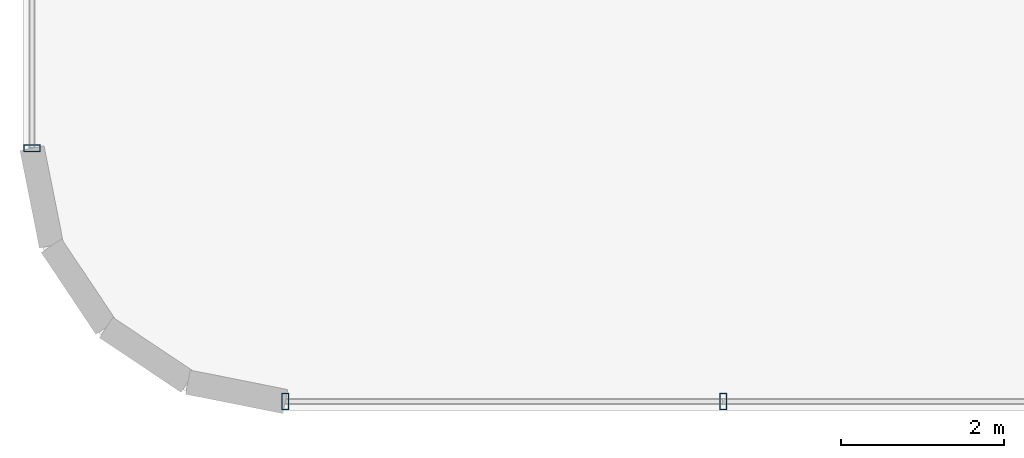
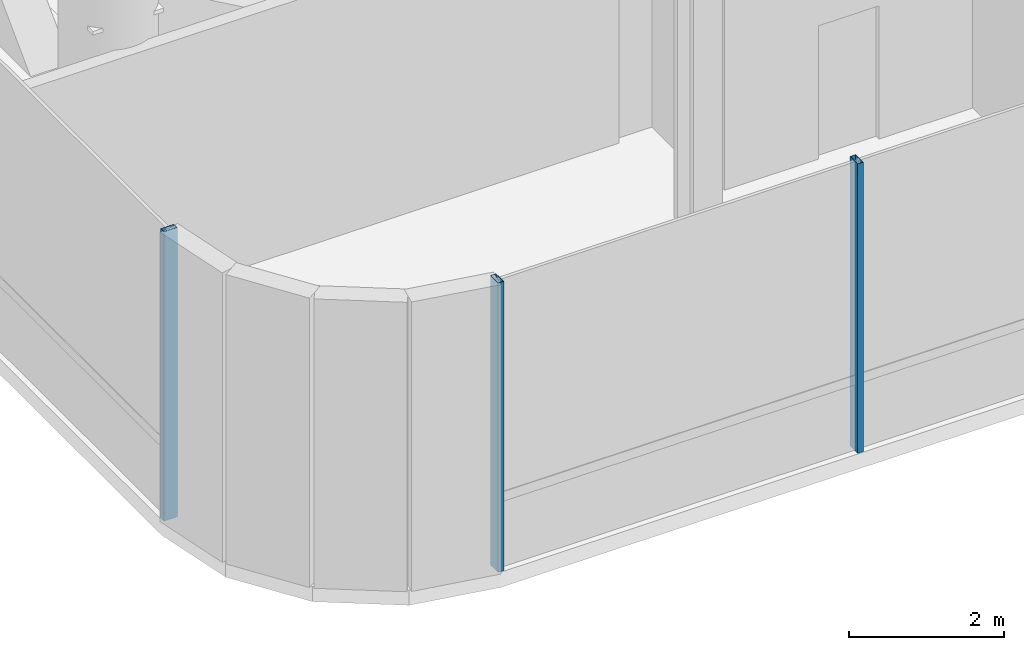
# One storey, part 2 of 39: 3 members, 2 elements without a shape of their own.
"""IFC4 building model written with IfcOpenShell, lengths in metres."""

from ifc_helpers import new_model, si_unit, direction, frame, origin, origin_2d, place, context, subcontext, project, spatial, hollow_rectangle, extrude, source, transform, mapped, material, material_profile, profile_set, type_object, element, aggregate, save


model = new_model("IFC4")

# Units and contexts
model_context = context("Model", 3, precision=1e-05, world=origin(), true_north=direction((0.0, 1.0)))
body_context = subcontext(model_context, "Body", "Model", "MODEL_VIEW")
ifc_project = project(units=[si_unit("LENGTHUNIT", "METRE"), si_unit("AREAUNIT", "SQUARE_METRE"), si_unit("VOLUMEUNIT", "CUBIC_METRE"), si_unit("PLANEANGLEUNIT", "RADIAN"), si_unit("MASSUNIT", "GRAM", prefix="KILO")], contexts=[model_context])

# Site, building, storey
site_placement = place(None, origin())
site = spatial("IfcSite", under=ifc_project, at=site_placement, CompositionType="ELEMENT")
building_placement = place(site_placement, origin())
building = spatial("IfcBuilding", under=site, at=building_placement, Name="Valdorenza Pilgrim Sanctuary Tower", CompositionType="ELEMENT")
storey_placement = place(building_placement, frame((0.0, 0.0, 96.300048828125)))
storey = spatial("IfcBuildingStorey", under=building, at=storey_placement, Name="L24", CompositionType="ELEMENT", Elevation=96.300048828125)

# Curtain wall, member
ifc_material_1 = material(Name="Curtain-wall IGU glazing", Category="glass")
curtain_wall_type = type_object("IfcCurtainWallType", Name="CW-SYS-02", PredefinedType="NOTDEFINED", material=ifc_material_1)
curtain_wall_1_placement = place(storey_placement, origin())
curtain_wall_1 = element("IfcCurtainWall", 1, at=curtain_wall_1_placement, inside=storey, type_object=curtain_wall_type, Name="L24 Curtain Wall CW-L24-1-1", PredefinedType="NOTDEFINED")
ifc_material_2 = material(Name="Anodised aluminium AW-6060", Category="aluminium")
ifc_material_profile = material_profile(ifc_material_2, hollow_rectangle(XDim=0.0849609375, YDim=0.199951171875, WallThickness=0.0048828125, at=origin_2d()), Name="ALU-M 200x85x5")
ifc_profile_set = profile_set([ifc_material_profile], Name="Anodised aluminium AW-6060")
member_type = type_object("IfcMemberType", Name="CW-MUL-02", PredefinedType="MULLION", material=ifc_profile_set)
shared_shape = source(origin(), body_context, "Body", "SweptSolid", [
    extrude(hollow_rectangle(XDim=0.0849609375, YDim=0.199951171875, WallThickness=0.0048828125, at=origin_2d()), origin(), (0.0, 0.0, 1.0), 4.56005859375),
])
member_1_placement = place(storey_placement, frame((-31.889892578125, -15.789306640625, 0.0), z_axis=(0.0, 0.0, 1.0), x_axis=(0.0, 1.0, 0.0)))
member_1 = element("IfcMember", 2, at=member_1_placement, type_object=member_type, Name="CW-L24-1-1 Mullion 1", PredefinedType="MULLION", context=body_context, shape_type="MappedRepresentation", body=[
    mapped(shared_shape, transform((0.0, 0.0, 0.0), x_axis=(1.0, 0.0, 0.0), y_axis=(0.0, 1.0, 0.0), z_axis=(0.0, 0.0, 1.0), scale=1.0)),
])
aggregate(curtain_wall_1, [member_1])

# Curtain wall, members
curtain_wall_2_placement = place(storey_placement, origin())
curtain_wall_2 = element("IfcCurtainWall", 3, at=curtain_wall_2_placement, inside=storey, type_object=curtain_wall_type, Name="L24 Curtain Wall CW-L24-1-46", PredefinedType="NOTDEFINED")
member_2_placement = place(storey_placement, frame((-23.4296875, -18.889892578125, 0.0), z_axis=(0.0, 0.0, 1.0), x_axis=(-1.0, 0.0, 0.0)))
member_2 = element("IfcMember", 4, at=member_2_placement, type_object=member_type, Name="CW-L24-1-46 Mullion 3", PredefinedType="MULLION", context=body_context, shape_type="MappedRepresentation", body=[
    mapped(shared_shape, transform((0.0, 0.0, 0.0), x_axis=(1.0, 0.0, 0.0), y_axis=(0.0, 1.0, 0.0), z_axis=(0.0, 0.0, 1.0), scale=1.0)),
])
member_3_placement = place(storey_placement, frame((-28.789306640625, -18.889892578125, 0.0), z_axis=(0.0, 0.0, 1.0), x_axis=(-1.0, 0.0, 0.0)))
member_3 = element("IfcMember", 5, at=member_3_placement, type_object=member_type, Name="CW-L24-1-46 Mullion 4", PredefinedType="MULLION", context=body_context, shape_type="MappedRepresentation", body=[
    mapped(shared_shape, transform((0.0, 0.0, 0.0), x_axis=(1.0, 0.0, 0.0), y_axis=(0.0, 1.0, 0.0), z_axis=(0.0, 0.0, 1.0), scale=1.0)),
])
aggregate(curtain_wall_2, [member_2, member_3])

save(model, "model.ifc")
